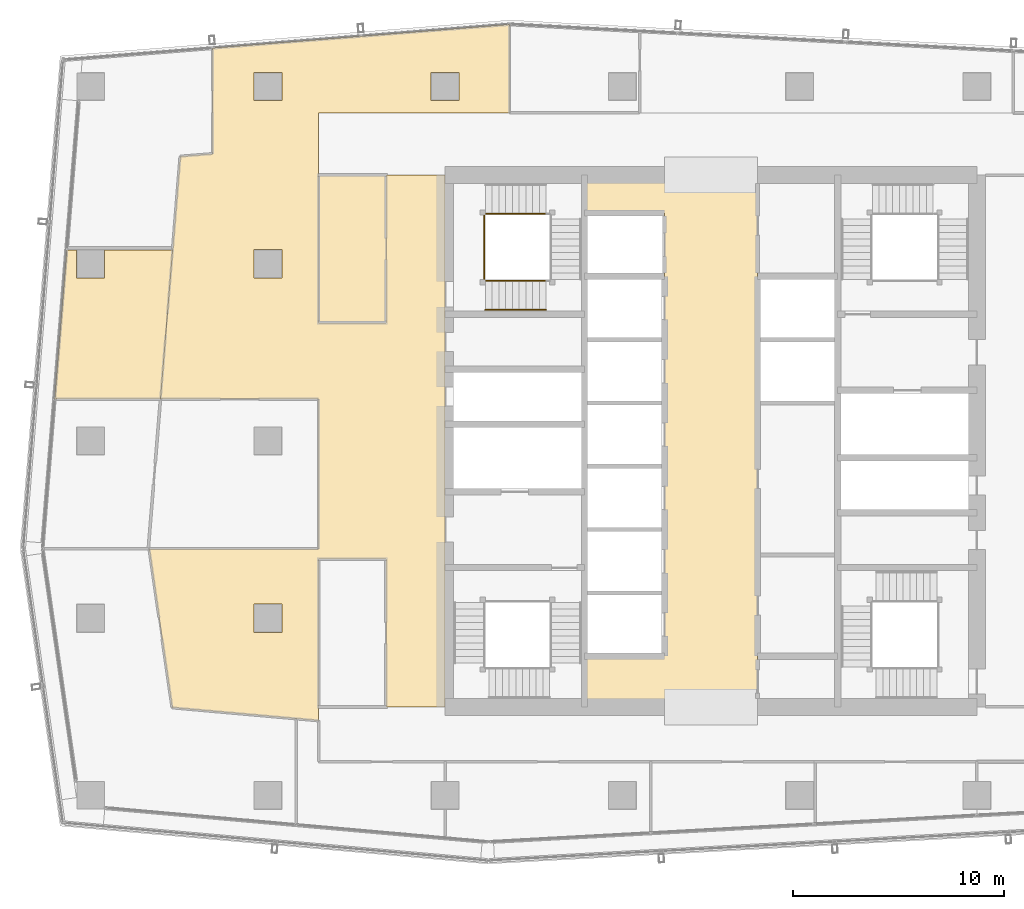
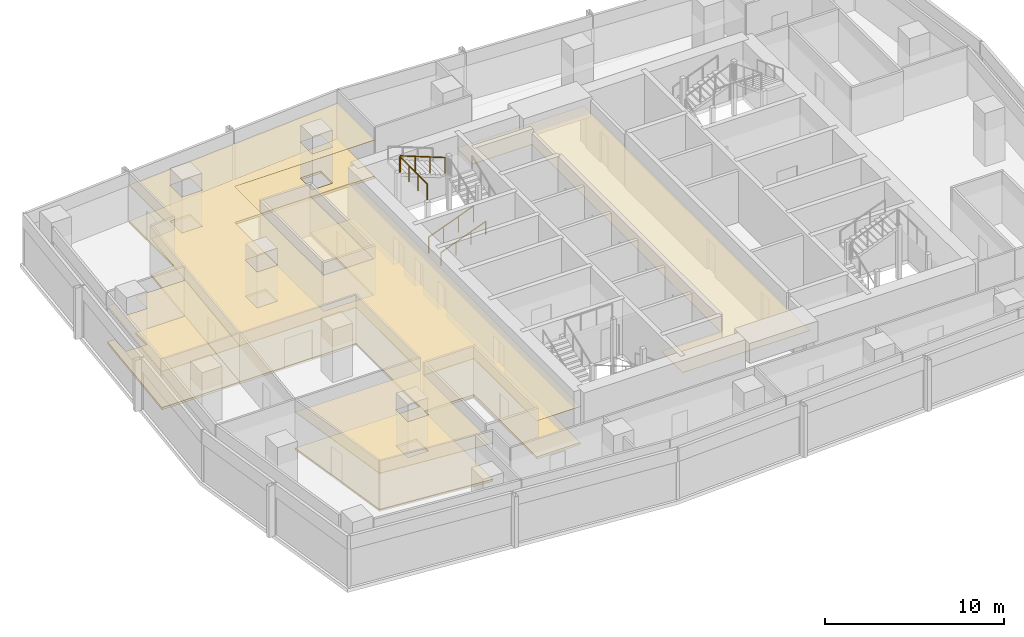
# One storey, part 27 of 30: 6 coverings, 4 railings.
"""IFC4 building model written with IfcOpenShell, lengths in metres."""

from ifc_helpers import new_model, si_unit, direction, frame, origin, origin_2d, place, context, subcontext, project, spatial, polyline, circle, outline, extrude, material, layer, layer_set, type_object, element, save


model = new_model("IFC4")

# Units and contexts
model_context = context("Model", 3, precision=1e-05, world=origin(), true_north=direction((0.0, 1.0)))
body_context = subcontext(model_context, "Body", "Model", "MODEL_VIEW")
ifc_project = project(units=[si_unit("LENGTHUNIT", "METRE"), si_unit("AREAUNIT", "SQUARE_METRE"), si_unit("VOLUMEUNIT", "CUBIC_METRE"), si_unit("PLANEANGLEUNIT", "RADIAN"), si_unit("MASSUNIT", "GRAM", prefix="KILO")], contexts=[model_context])

# Site, building, storey
site_placement = place(None, origin())
site = spatial("IfcSite", under=ifc_project, at=site_placement, CompositionType="ELEMENT")
building_placement = place(site_placement, origin())
building = spatial("IfcBuilding", under=site, at=building_placement, Name="Rekha Terrace Tower", CompositionType="ELEMENT")
storey_placement = place(building_placement, frame((0.0, 0.0, 265.10009765625)))
storey = spatial("IfcBuildingStorey", under=building, at=storey_placement, Name="L67", CompositionType="ELEMENT", Elevation=265.10009765625)

# Coverings
ifc_material_1 = material(Name="Mineral fibre tile in exposed grid", Category="finish")
ifc_layer_1 = layer(ifc_material_1, 0.02001953125)
ifc_layer_set_1 = layer_set([ifc_layer_1], Name="Mineral fibre tile in exposed grid")
covering_type_1 = type_object("IfcCoveringType", Name="CL1 600x1200 office grid ceiling", PredefinedType="CEILING", material=ifc_layer_set_1)
covering_1_placement = place(storey_placement, frame((0.0, 0.0, 2.579833984375)))
element("IfcCovering", 1, at=covering_1_placement, inside=storey, type_object=covering_type_1, Name="Ceiling L67-06", PredefinedType="CEILING", context=body_context, shape_type="SweptSolid", body=[
    extrude(outline(polyline([(7.735107421875, 42.656005859375), (7.26611328125, 42.656005859375), (6.69091796875, 35.590087890625), (11.70703125, 35.590087890625), (12.281982421875, 42.656005859375), (9.06494140625, 42.656005859375), (9.06494140625, 41.3349609375), (7.735107421875, 41.3349609375), (7.735107421875, 42.656005859375)])), origin(), (0.0, 0.0, 1.0), 0.02001953125),
])
covering_2_placement = place(storey_placement, frame((0.0, 0.0, 2.579833984375)))
element("IfcCovering", 2, at=covering_2_placement, inside=storey, type_object=covering_type_1, Name="Ceiling L67-O1b", PredefinedType="CEILING", context=body_context, shape_type="SweptSolid", body=[
    extrude(outline(polyline([(12.64306640625, 47.0869140625), (12.281982421875, 42.656005859375), (11.70703125, 35.590087890625), (19.199951171875, 35.590087890625), (19.199951171875, 28.490966796875), (11.173095703125, 28.490966796875), (12.260986328125, 20.9619140625), (18.14990234375, 20.43896484375), (19.199951171875, 20.345947265625), (19.199951171875, 28.0), (22.39990234375, 28.0), (22.39990234375, 21.0), (25.199951171875, 21.0), (25.199951171875, 46.199951171875), (22.39990234375, 46.199951171875), (22.39990234375, 39.199951171875), (19.199951171875, 39.199951171875), (19.199951171875, 49.14990234375), (28.238037109375, 49.14990234375), (28.238037109375, 53.346923828125), (14.180908203125, 52.22607421875), (14.180908203125, 47.2099609375), (12.64306640625, 47.0869140625)]), holes=[polyline([(25.864990234375, 51.06494140625), (25.864990234375, 49.735107421875), (24.534912109375, 49.735107421875), (24.534912109375, 51.06494140625), (25.864990234375, 51.06494140625)]), polyline([(17.465087890625, 25.864990234375), (17.465087890625, 24.534912109375), (16.135009765625, 24.534912109375), (16.135009765625, 25.864990234375), (17.465087890625, 25.864990234375)]), polyline([(17.465087890625, 41.3349609375), (16.135009765625, 41.3349609375), (16.135009765625, 42.6650390625), (17.465087890625, 42.6650390625), (17.465087890625, 41.3349609375)]), polyline([(17.465087890625, 49.735107421875), (16.135009765625, 49.735107421875), (16.135009765625, 51.06494140625), (17.465087890625, 51.06494140625), (17.465087890625, 49.735107421875)])]), origin(), (0.0, 0.0, 1.0), 0.02001953125),
])
ifc_material_2 = material(Name="Fibre cement board", Category="finish")
ifc_layer_2 = layer(ifc_material_2, 0.014892578125)
ifc_layer_set_2 = layer_set([ifc_layer_2], Name="Fibre cement board")
covering_type_2 = type_object("IfcCoveringType", Name="CL2 moisture-resistant board ceiling", PredefinedType="CEILING", material=ifc_layer_set_2)
covering_3_placement = place(storey_placement, frame((0.0, 0.0, 2.5849609375)))
element("IfcCovering", 3, at=covering_3_placement, inside=storey, type_object=covering_type_2, Name="Ceiling L67-WCF2", PredefinedType="CEILING", context=body_context, shape_type="SweptSolid", body=[
    extrude(outline(polyline([(22.39990234375, 46.199951171875), (19.199951171875, 46.199951171875), (19.199951171875, 39.199951171875), (22.39990234375, 39.199951171875), (22.39990234375, 46.199951171875)])), origin(), (0.0, 0.0, 1.0), 0.014892578125),
])
ifc_material_3 = material(Name="Powder-coated aluminium pan", Category="aluminium")
ifc_layer_3 = layer(ifc_material_3, 0.030029296875)
ifc_layer_set_3 = layer_set([ifc_layer_3], Name="Powder-coated aluminium pan")
covering_type_3 = type_object("IfcCoveringType", Name="CL3 300x1200 metal pan ceiling", PredefinedType="CEILING", material=ifc_layer_set_3)
covering_4_placement = place(storey_placement, frame((0.0, 0.0, 2.56982421875)))
element("IfcCovering", 4, at=covering_4_placement, inside=storey, type_object=covering_type_3, Name="Ceiling L67-LOBBY", PredefinedType="CEILING", context=body_context, shape_type="SweptSolid", body=[
    extrude(outline(polyline([(35.60009765625, 44.39990234375), (35.60009765625, 23.39990234375), (31.800048828125, 23.39990234375), (31.800048828125, 21.0), (40.0, 21.0), (40.0, 46.199951171875), (31.800048828125, 46.199951171875), (31.800048828125, 44.39990234375), (35.60009765625, 44.39990234375)])), origin(), (0.0, 0.0, 1.0), 0.030029296875),
])

# Railings
ifc_material_4 = material(Name="Stainless steel balustrade", Category="steel")
railing_type_1 = type_object("IfcRailingType", Name="GR1 1100 stair guard", PredefinedType="GUARDRAIL", material=ifc_material_4)
railing_1_placement = place(storey_placement, frame((27.10009765625, 41.18994140625, 0.125)))
element("IfcRailing", 5, at=railing_1_placement, inside=storey, type_object=railing_type_1, Name="Guard ST4 L67 flight 1", PredefinedType="GUARDRAIL", context=body_context, shape_type="SweptSolid", body=[
    extrude(circle(Radius=0.02392578125, at=origin_2d()), frame((0.0, 0.0, 1.076171875), z_axis=(0.931452331594, 0.0, 0.363863372667), x_axis=(0.0, 1.0, 0.0)), (0.0, 0.0, 1.0), 3.091796875),
    extrude(circle(Radius=0.02099609375, at=origin_2d()), origin(), (0.0, 0.0, 1.0), 1.052001953125),
    extrude(circle(Radius=0.02099609375, at=origin_2d()), frame((0.9599609375, 0.0, 0.375)), (0.0, 0.0, 1.0), 1.052001953125),
    extrude(circle(Radius=0.02099609375, at=origin_2d()), frame((1.919921875, 0.0, 0.75)), (0.0, 0.0, 1.0), 1.052001953125),
    extrude(circle(Radius=0.02099609375, at=origin_2d()), frame((2.8798828125, 0.0, 1.125)), (0.0, 0.0, 1.0), 1.052001953125),
])
railing_2_placement = place(storey_placement, frame((29.97998046875, 44.360107421875, 2.625)))
element("IfcRailing", 6, at=railing_2_placement, inside=storey, type_object=railing_type_1, Name="Guard ST4 L67 flight 3", PredefinedType="GUARDRAIL", context=body_context, shape_type="SweptSolid", body=[
    extrude(circle(Radius=0.02392578125, at=origin_2d()), frame((0.0, 0.0, 1.076171875), z_axis=(-0.931452331594, 0.0, 0.363863372667), x_axis=(0.0, -1.0, 0.0)), (0.0, 0.0, 1.0), 3.091796875),
    extrude(circle(Radius=0.02099609375, at=origin_2d()), origin(), (0.0, 0.0, 1.0), 1.052001953125),
    extrude(circle(Radius=0.02099609375, at=origin_2d()), frame((-0.9599609375, 0.0, 0.375)), (0.0, 0.0, 1.0), 1.052001953125),
    extrude(circle(Radius=0.02099609375, at=origin_2d()), frame((-1.919921875, 0.0, 0.75)), (0.0, 0.0, 1.0), 1.052001953125),
    extrude(circle(Radius=0.02099609375, at=origin_2d()), frame((-2.8798828125, 0.0, 1.125)), (0.0, 0.0, 1.0), 1.052001953125),
])
railing_3_placement = place(storey_placement, frame((27.0400390625, 41.25, 3.75)))
element("IfcRailing", 7, at=railing_3_placement, inside=storey, type_object=railing_type_1, Name="Guard ST4 L67 landing 4", PredefinedType="GUARDRAIL", context=body_context, shape_type="SweptSolid", body=[
    extrude(circle(Radius=0.02392578125, at=origin_2d()), frame((0.0, 0.0, 1.076171875), z_axis=(0.0, 1.0, 0.0), x_axis=(-1.0, 0.0, 0.0)), (0.0, 0.0, 1.0), 3.050048828125),
    extrude(circle(Radius=0.02099609375, at=origin_2d()), origin(), (0.0, 0.0, 1.0), 1.052001953125),
    extrude(circle(Radius=0.02099609375, at=origin_2d()), frame((0.0, 1.0166015625, 0.0)), (0.0, 0.0, 1.0), 1.052001953125),
    extrude(circle(Radius=0.02099609375, at=origin_2d()), frame((0.0, 2.033447265625, 0.0)), (0.0, 0.0, 1.0), 1.052001953125),
    extrude(circle(Radius=0.02099609375, at=origin_2d()), frame((0.0, 3.050048828125, 0.0)), (0.0, 0.0, 1.0), 1.052001953125),
])
ifc_material_5 = material(Name="Stainless steel tube", Category="steel")
railing_type_2 = type_object("IfcRailingType", Name="HR1 900 stair handrail", PredefinedType="HANDRAIL", material=ifc_material_5)
railing_4_placement = place(storey_placement, frame((27.10009765625, 39.81005859375, 0.125)))
element("IfcRailing", 8, at=railing_4_placement, inside=storey, type_object=railing_type_2, Name="Handrail ST4 L67 flight 1", PredefinedType="HANDRAIL", context=body_context, shape_type="SweptSolid", body=[
    extrude(circle(Radius=0.02392578125, at=origin_2d()), frame((0.0, 0.0, 0.8759765625), z_axis=(0.931452331594, 0.0, 0.363863372667), x_axis=(0.0, 1.0, 0.0)), (0.0, 0.0, 1.0), 3.091796875),
    extrude(circle(Radius=0.02099609375, at=origin_2d()), origin(), (0.0, 0.0, 1.0), 0.851806640625),
    extrude(circle(Radius=0.02099609375, at=origin_2d()), frame((0.9599609375, 0.0, 0.375)), (0.0, 0.0, 1.0), 0.851806640625),
    extrude(circle(Radius=0.02099609375, at=origin_2d()), frame((1.919921875, 0.0, 0.75)), (0.0, 0.0, 1.0), 0.851806640625),
    extrude(circle(Radius=0.02099609375, at=origin_2d()), frame((2.8798828125, 0.0, 1.125)), (0.0, 0.0, 1.0), 0.851806640625),
])

# Coverings
ifc_material_6 = material(Name="Calcium sulphate panels on steel pedestals", Category="steel")
ifc_layer_4 = layer(ifc_material_6, 0.14990234375)
ifc_layer_set_4 = layer_set([ifc_layer_4], Name="Calcium sulphate panels on steel pedestals")
covering_type_4 = type_object("IfcCoveringType", Name="RF1 150 raised access floor", PredefinedType="FLOORING", material=ifc_layer_set_4)
covering_5_placement = place(storey_placement, origin())
element("IfcCovering", 9, at=covering_5_placement, inside=storey, type_object=covering_type_4, Name="Raised floor L67-06", PredefinedType="FLOORING", context=body_context, shape_type="SweptSolid", body=[
    extrude(outline(polyline([(7.735107421875, 42.656005859375), (7.26611328125, 42.656005859375), (6.69091796875, 35.590087890625), (11.70703125, 35.590087890625), (12.281982421875, 42.656005859375), (9.06494140625, 42.656005859375), (9.06494140625, 41.3349609375), (7.735107421875, 41.3349609375), (7.735107421875, 42.656005859375)])), origin(), (0.0, 0.0, 1.0), 0.14990234375),
])
covering_6_placement = place(storey_placement, origin())
element("IfcCovering", 10, at=covering_6_placement, inside=storey, type_object=covering_type_4, Name="Raised floor L67-O1b", PredefinedType="FLOORING", context=body_context, shape_type="SweptSolid", body=[
    extrude(outline(polyline([(12.64306640625, 47.0869140625), (12.281982421875, 42.656005859375), (11.70703125, 35.590087890625), (19.199951171875, 35.590087890625), (19.199951171875, 28.490966796875), (11.173095703125, 28.490966796875), (12.260986328125, 20.9619140625), (18.14990234375, 20.43896484375), (19.199951171875, 20.345947265625), (19.199951171875, 28.0), (22.39990234375, 28.0), (22.39990234375, 21.0), (25.199951171875, 21.0), (25.199951171875, 46.199951171875), (22.39990234375, 46.199951171875), (22.39990234375, 39.199951171875), (19.199951171875, 39.199951171875), (19.199951171875, 49.14990234375), (28.238037109375, 49.14990234375), (28.238037109375, 53.346923828125), (14.180908203125, 52.22607421875), (14.180908203125, 47.2099609375), (12.64306640625, 47.0869140625)]), holes=[polyline([(25.864990234375, 51.06494140625), (25.864990234375, 49.735107421875), (24.534912109375, 49.735107421875), (24.534912109375, 51.06494140625), (25.864990234375, 51.06494140625)]), polyline([(17.465087890625, 25.864990234375), (17.465087890625, 24.534912109375), (16.135009765625, 24.534912109375), (16.135009765625, 25.864990234375), (17.465087890625, 25.864990234375)]), polyline([(17.465087890625, 41.3349609375), (16.135009765625, 41.3349609375), (16.135009765625, 42.6650390625), (17.465087890625, 42.6650390625), (17.465087890625, 41.3349609375)]), polyline([(17.465087890625, 49.735107421875), (16.135009765625, 49.735107421875), (16.135009765625, 51.06494140625), (17.465087890625, 51.06494140625), (17.465087890625, 49.735107421875)])]), origin(), (0.0, 0.0, 1.0), 0.14990234375),
])

save(model, "model.ifc")
